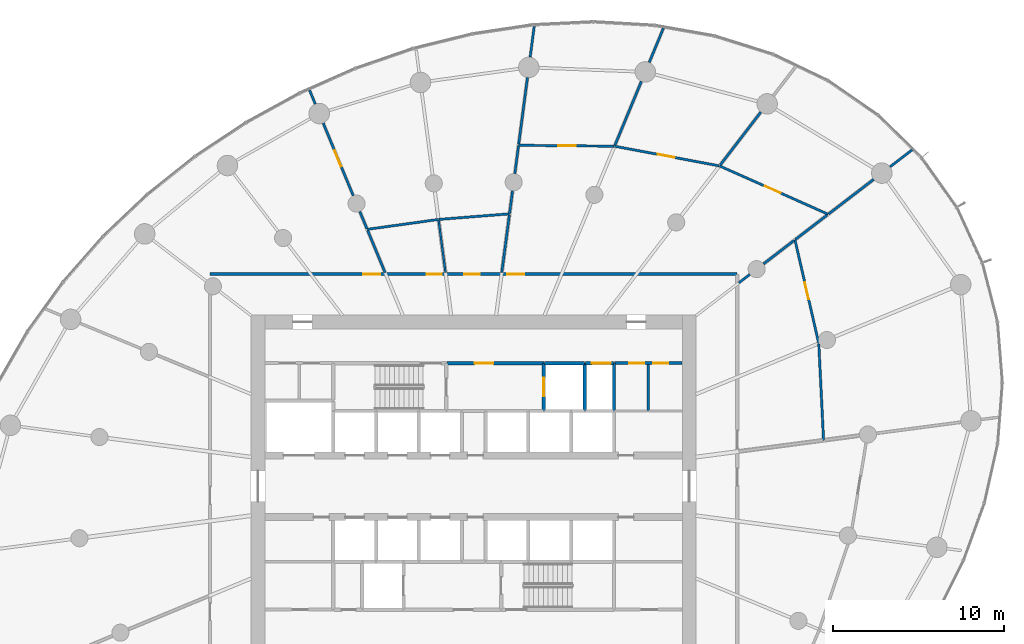
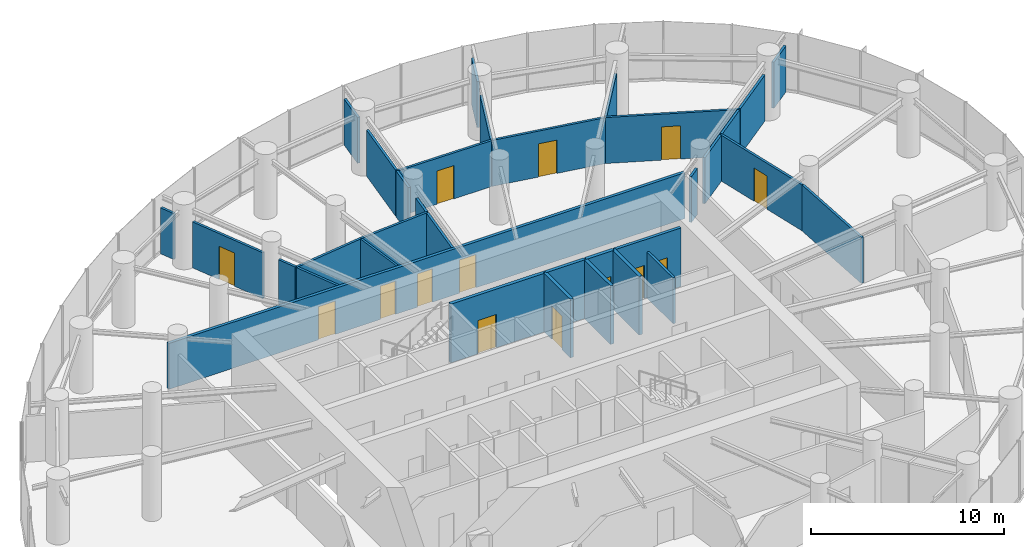
# One storey, part 13 of 17: 34 walls, 14 doors, 14 openings.
"""IFC4 building model written with IfcOpenShell, lengths in metres."""

from ifc_helpers import new_model, si_unit, direction, frame, frame_2d, origin, place, context, subcontext, project, spatial, rectangle, extrude, source, transform, mapped, material, layer, layer_set, type_object, element, fill, save


model = new_model("IFC4")

# Units and contexts
model_context = context("Model", 3, precision=1e-05, world=origin(), true_north=direction((0.0, 1.0)))
body_context = subcontext(model_context, "Body", "Model", "MODEL_VIEW")
ifc_project = project(units=[si_unit("LENGTHUNIT", "METRE"), si_unit("AREAUNIT", "SQUARE_METRE"), si_unit("VOLUMEUNIT", "CUBIC_METRE"), si_unit("PLANEANGLEUNIT", "RADIAN"), si_unit("MASSUNIT", "GRAM", prefix="KILO")], contexts=[model_context])

# Site, building, storey
site_placement = place(None, origin())
site = spatial("IfcSite", under=ifc_project, at=site_placement, CompositionType="ELEMENT")
building_placement = place(site_placement, origin())
building = spatial("IfcBuilding", under=site, at=building_placement, Name="Spindrift Exchange Tower", CompositionType="ELEMENT")
storey_placement = place(building_placement, frame((0.0, 0.0, 120.800048828125)))
storey = spatial("IfcBuildingStorey", under=building, at=storey_placement, Name="L28", CompositionType="ELEMENT", Elevation=120.800048828125)

# Wall, openings, doors
ifc_material_1 = material(Name="Fire-rated plasterboard partition", Category="gypsum")
ifc_layer_1 = layer(ifc_material_1, 0.179931640625)
ifc_layer_set_1 = layer_set([ifc_layer_1], Name="W-CORR-180")
wall_type_1 = type_object("IfcWallType", Name="W-CORR-180", PredefinedType="PARTITIONING", material=ifc_layer_set_1)
wall_1_placement = place(storey_placement, frame((36.60009765625, 60.39990234375, 0.0), z_axis=(0.0, 0.0, 1.0), x_axis=(1.0, 0.0, 0.0)))
wall_1 = element("IfcWall", 1, at=wall_1_placement, inside=storey, type_object=wall_type_1, Name="L28 Partition wall 58", PredefinedType="PARTITIONING", context=body_context, shape_type="SweptSolid", body=[
    extrude(rectangle(XDim=30.7998046875, YDim=0.179931640625, at=frame_2d((15.39990234375, 0.0))), origin(), (0.0, 0.0, 1.0), 2.89990234375),
])
opening_1_placement = place(wall_1_placement, frame((14.85009765625, 0.0, 0.0)))
opening_1 = element("IfcOpeningElement", 2, at=opening_1_placement, cuts=wall_1, Name="Opening L28-D24", PredefinedType="OPENING", context=body_context, shape_type="SweptSolid", body=[
    extrude(rectangle(XDim=0.89990234375, YDim=2.10009765625, at=frame_2d((0.449951171875, 1.050048828125))), frame((0.0, 0.099853515625, 0.0), z_axis=(0.0, -1.0, 0.0), x_axis=(1.0, 0.0, 0.0)), (0.0, 0.0, 1.0), 0.199951171875),
])
opening_2_placement = place(wall_1_placement, frame((12.64990234375, 0.0, 0.0)))
opening_2 = element("IfcOpeningElement", 3, at=opening_2_placement, cuts=wall_1, Name="Opening L28-D25", PredefinedType="OPENING", context=body_context, shape_type="SweptSolid", body=[
    extrude(rectangle(XDim=0.89990234375, YDim=2.10009765625, at=frame_2d((0.449951171875, 1.050048828125))), frame((0.0, 0.099853515625, 0.0), z_axis=(0.0, -1.0, 0.0), x_axis=(1.0, 0.0, 0.0)), (0.0, 0.0, 1.0), 0.199951171875),
])
opening_3_placement = place(wall_1_placement, frame((8.949951171875, 0.0, 0.0)))
opening_3 = element("IfcOpeningElement", 4, at=opening_3_placement, cuts=wall_1, Name="Opening L28-D26", PredefinedType="OPENING", context=body_context, shape_type="SweptSolid", body=[
    extrude(rectangle(XDim=1.0, YDim=2.10009765625, at=frame_2d((0.5, 1.050048828125))), frame((0.0, 0.099853515625, 0.0), z_axis=(0.0, -1.0, 0.0), x_axis=(1.0, 0.0, 0.0)), (0.0, 0.0, 1.0), 0.199951171875),
])
opening_4_placement = place(wall_1_placement, frame((17.35009765625, 0.0, 0.0)))
opening_4 = element("IfcOpeningElement", 5, at=opening_4_placement, cuts=wall_1, Name="Opening L28-D40", PredefinedType="OPENING", context=body_context, shape_type="SweptSolid", body=[
    extrude(rectangle(XDim=1.0, YDim=2.10009765625, at=frame_2d((0.5, 1.050048828125))), frame((0.0, 0.099853515625, 0.0), z_axis=(0.0, -1.0, 0.0), x_axis=(1.0, 0.0, 0.0)), (0.0, 0.0, 1.0), 0.199951171875),
])
ifc_material_2 = material(Name="Timber-core fire door", Category="wood")
door_type_1 = type_object("IfcDoorType", Name="DR-ROOM-1000", OperationType="NOTDEFINED", PredefinedType="DOOR", material=ifc_material_2)
shared_shape_1 = source(origin(), body_context, "Body", "SweptSolid", [
    extrude(rectangle(XDim=1.0, YDim=2.10009765625, at=frame_2d((0.5, 1.050048828125))), frame((0.0, 0.02490234375, 0.0), z_axis=(0.0, -1.0, 0.0), x_axis=(1.0, 0.0, 0.0)), (0.0, 0.0, 1.0), 0.050048828125),
])
door_1_placement = place(opening_3_placement, origin())
door_1 = element("IfcDoor", 6, at=door_1_placement, inside=storey, type_object=door_type_1, Name="L28 Door 26", OperationType="SINGLE_SWING_LEFT", OverallHeight=2.10009765625, OverallWidth=1.0, PredefinedType="DOOR", context=body_context, shape_type="MappedRepresentation", body=[
    mapped(shared_shape_1, transform((0.0, 0.0, 0.0), scale=1.0)),
])
fill(opening_3, door_1)
door_2_placement = place(opening_4_placement, origin())
door_2 = element("IfcDoor", 7, at=door_2_placement, inside=storey, type_object=door_type_1, Name="L28 Door 40", OperationType="SINGLE_SWING_LEFT", OverallHeight=2.10009765625, OverallWidth=1.0, PredefinedType="DOOR", context=body_context, shape_type="MappedRepresentation", body=[
    mapped(shared_shape_1, transform((0.0, 0.0, 0.0), scale=1.0)),
])
fill(opening_4, door_2)
ifc_material_3 = material(Name="Laminate washroom door", Category="wood")
door_type_2 = type_object("IfcDoorType", Name="DR-WC-900", OperationType="NOTDEFINED", PredefinedType="DOOR", material=ifc_material_3)
shared_shape_2 = source(origin(), body_context, "Body", "SweptSolid", [
    extrude(rectangle(XDim=0.89990234375, YDim=2.10009765625, at=frame_2d((0.449951171875, 1.050048828125))), frame((0.0, 0.02490234375, 0.0), z_axis=(0.0, -1.0, 0.0), x_axis=(1.0, 0.0, 0.0)), (0.0, 0.0, 1.0), 0.050048828125),
])
door_3_placement = place(opening_1_placement, origin())
door_3 = element("IfcDoor", 8, at=door_3_placement, inside=storey, type_object=door_type_2, Name="L28 WC door 24", OperationType="SINGLE_SWING_LEFT", OverallHeight=2.10009765625, OverallWidth=0.89990234375, PredefinedType="DOOR", context=body_context, shape_type="MappedRepresentation", body=[
    mapped(shared_shape_2, transform((0.0, 0.0, 0.0), scale=1.0)),
])
fill(opening_1, door_3)
door_4_placement = place(opening_2_placement, origin())
door_4 = element("IfcDoor", 9, at=door_4_placement, inside=storey, type_object=door_type_2, Name="L28 WC door 25", OperationType="SINGLE_SWING_RIGHT", OverallHeight=2.10009765625, OverallWidth=0.89990234375, PredefinedType="DOOR", context=body_context, shape_type="MappedRepresentation", body=[
    mapped(shared_shape_2, transform((0.0, 0.0, 0.0), scale=1.0)),
])
fill(opening_2, door_4)

wall_2_placement = place(storey_placement, frame((64.179931640625, 55.199951171875, 0.0), z_axis=(0.0, 0.0, 1.0), x_axis=(-1.0, 0.0, 0.0)))
wall_2 = element("IfcWall", 10, at=wall_2_placement, inside=storey, type_object=wall_type_1, Name="L28 Partition wall 62", PredefinedType="PARTITIONING", context=body_context, shape_type="SweptSolid", body=[
    extrude(rectangle(XDim=3.949951171875, YDim=0.179931640625, at=frame_2d((1.97509765625, 0.0))), origin(), (0.0, 0.0, 1.0), 3.699951171875),
])
opening_5_placement = place(wall_2_placement, frame((2.199951171875, 0.0, 0.0)))
opening_5 = element("IfcOpeningElement", 11, at=opening_5_placement, cuts=wall_2, Name="Opening L28-D49", PredefinedType="OPENING", context=body_context, shape_type="SweptSolid", body=[
    extrude(rectangle(XDim=0.89990234375, YDim=2.10009765625, at=frame_2d((0.449951171875, 1.050048828125))), frame((0.0, 0.099853515625, 0.0), z_axis=(0.0, -1.0, 0.0), x_axis=(1.0, 0.0, 0.0)), (0.0, 0.0, 1.0), 0.199951171875),
])
opening_6_placement = place(wall_2_placement, frame((0.800048828125, 0.0, 0.0)))
opening_6 = element("IfcOpeningElement", 12, at=opening_6_placement, cuts=wall_2, Name="Opening L28-D50", PredefinedType="OPENING", context=body_context, shape_type="SweptSolid", body=[
    extrude(rectangle(XDim=0.89990234375, YDim=2.10009765625, at=frame_2d((0.449951171875, 1.050048828125))), frame((0.0, 0.099853515625, 0.0), z_axis=(0.0, -1.0, 0.0), x_axis=(1.0, 0.0, 0.0)), (0.0, 0.0, 1.0), 0.199951171875),
])
ifc_material_4 = material(Name="Steel access door", Category="steel")
door_type_3 = type_object("IfcDoorType", Name="DR-RISER-900", OperationType="NOTDEFINED", PredefinedType="DOOR", material=ifc_material_4)
shared_shape_3 = source(origin(), body_context, "Body", "SweptSolid", [
    extrude(rectangle(XDim=0.89990234375, YDim=2.10009765625, at=frame_2d((0.449951171875, 1.050048828125))), frame((0.0, 0.02490234375, 0.0), z_axis=(0.0, -1.0, 0.0), x_axis=(1.0, 0.0, 0.0)), (0.0, 0.0, 1.0), 0.050048828125),
])
door_5_placement = place(opening_5_placement, origin())
door_5 = element("IfcDoor", 13, at=door_5_placement, inside=storey, type_object=door_type_3, Name="L28 Riser door 49", OperationType="SINGLE_SWING_RIGHT", OverallHeight=2.10009765625, OverallWidth=0.89990234375, PredefinedType="DOOR", context=body_context, shape_type="MappedRepresentation", body=[
    mapped(shared_shape_3, transform((0.0, 0.0, 0.0), scale=1.0)),
])
fill(opening_5, door_5)
door_6_placement = place(opening_6_placement, origin())
door_6 = element("IfcDoor", 14, at=door_6_placement, inside=storey, type_object=door_type_3, Name="L28 Riser door 50", OperationType="SINGLE_SWING_LEFT", OverallHeight=2.10009765625, OverallWidth=0.89990234375, PredefinedType="DOOR", context=body_context, shape_type="MappedRepresentation", body=[
    mapped(shared_shape_3, transform((0.0, 0.0, 0.0), scale=1.0)),
])
fill(opening_6, door_6)

# Wall, opening, door
ifc_layer_2 = layer(ifc_material_1, 0.139892578125)
ifc_layer_set_2 = layer_set([ifc_layer_2], Name="W-PART-140")
wall_type_2 = type_object("IfcWallType", Name="W-PART-140", PredefinedType="PARTITIONING", material=ifc_layer_set_2)
wall_3_placement = place(storey_placement, frame((66.36474609375, 66.720703125, 0.0), z_axis=(0.0, 0.0, 1.0), x_axis=(0.913647797107, -0.406506707006, 0.0)))
wall_3 = element("IfcWall", 15, at=wall_3_placement, inside=storey, type_object=wall_type_2, Name="L28 Partition wall 67", PredefinedType="PARTITIONING", context=body_context, shape_type="SweptSolid", body=[
    extrude(rectangle(XDim=6.950439453125, YDim=0.139892578125, at=frame_2d((3.47509765625, 0.0))), origin(), (0.0, 0.0, 1.0), 2.89990234375),
])
opening_7_placement = place(wall_3_placement, frame((2.900390625, 0.0, 0.0)))
opening_7 = element("IfcOpeningElement", 16, at=opening_7_placement, cuts=wall_3, Name="Opening L28-D41", PredefinedType="OPENING", context=body_context, shape_type="SweptSolid", body=[
    extrude(rectangle(XDim=1.0, YDim=2.10009765625, at=frame_2d((0.5, 1.050048828125))), frame((0.0, 0.079833984375, 0.0), z_axis=(0.0, -1.0, 0.0), x_axis=(1.0, 0.0, 0.0)), (0.0, 0.0, 1.0), 0.159912109375),
])
door_7_placement = place(opening_7_placement, origin())
door_7 = element("IfcDoor", 17, at=door_7_placement, inside=storey, type_object=door_type_1, Name="L28 Door 41", OperationType="SINGLE_SWING_RIGHT", OverallHeight=2.10009765625, OverallWidth=1.0, PredefinedType="DOOR", context=body_context, shape_type="MappedRepresentation", body=[
    mapped(shared_shape_1, transform((0.0, 0.0, 0.0), scale=1.0)),
])
fill(opening_7, door_7)

# Walls
wall_4_placement = place(storey_placement, frame((53.644287109375, 60.489990234375, 0.0), z_axis=(0.0, 0.0, 1.0), x_axis=(0.130568214448, 0.991439328137, 0.0)))
element("IfcWall", 18, at=wall_4_placement, inside=storey, type_object=wall_type_2, Name="L28 Partition wall 97", PredefinedType="PARTITIONING", context=body_context, shape_type="SweptSolid", body=[
    extrude(rectangle(XDim=3.38818359375, YDim=0.139892578125, at=frame_2d((1.694091796875, 0.0))), origin(), (0.0, 0.0, 1.0), 2.89990234375),
])
wall_5_placement = place(storey_placement, frame((72.739013671875, 63.91357421875, 0.0), z_axis=(0.0, 0.0, 1.0), x_axis=(0.793376329811, 0.608731467312, 0.0)))
element("IfcWall", 19, at=wall_5_placement, inside=storey, type_object=wall_type_2, Name="L28 Partition wall 99", PredefinedType="PARTITIONING", context=body_context, shape_type="SweptSolid", body=[
    extrude(rectangle(XDim=3.314697265625, YDim=0.139892578125, at=frame_2d((1.6572265625, 0.0))), origin(), (0.0, 0.0, 1.0), 2.89990234375),
])
wall_6_placement = place(storey_placement, frame((46.826416015625, 60.489990234375, 0.0), z_axis=(0.0, 0.0, 1.0), x_axis=(-0.382665323853, 0.923887033094, 0.0)))
element("IfcWall", 20, at=wall_6_placement, inside=storey, type_object=wall_type_2, Name="L28 Partition wall 101", PredefinedType="PARTITIONING", context=body_context, shape_type="SweptSolid", body=[
    extrude(rectangle(XDim=2.6591796875, YDim=0.139892578125, at=frame_2d((1.32958984375, 0.0))), origin(), (0.0, 0.0, 1.0), 2.89990234375),
])
wall_7_placement = place(storey_placement, frame((62.199951171875, 52.39990234375, 0.0), z_axis=(0.0, 0.0, 1.0), x_axis=(0.0, 1.0, 0.0)))
element("IfcWall", 21, at=wall_7_placement, inside=storey, type_object=wall_type_2, Name="L28 Partition wall 102", PredefinedType="PARTITIONING", context=body_context, shape_type="SweptSolid", body=[
    extrude(rectangle(XDim=2.710205078125, YDim=0.139892578125, at=frame_2d((1.35498046875, 0.0))), origin(), (0.0, 0.0, 1.0), 2.89990234375),
])
wall_8_placement = place(storey_placement, frame((70.795654296875, 62.42236328125, 0.0), z_axis=(0.0, 0.0, 1.0), x_axis=(0.79335268966, 0.608762276927, 0.0)))
element("IfcWall", 22, at=wall_8_placement, inside=storey, type_object=wall_type_2, Name="L28 Partition wall 104", PredefinedType="PARTITIONING", context=body_context, shape_type="SweptSolid", body=[
    extrude(rectangle(XDim=2.339599609375, YDim=0.139892578125, at=frame_2d((1.169921875, 0.0))), origin(), (0.0, 0.0, 1.0), 2.89990234375),
])
wall_9_placement = place(storey_placement, frame((76.32763671875, 66.667236328125, 0.0), z_axis=(0.0, 0.0, 1.0), x_axis=(0.793358091605, 0.608755236925, 0.0)))
element("IfcWall", 23, at=wall_9_placement, inside=storey, type_object=wall_type_2, Name="L28 Partition wall 118", PredefinedType="PARTITIONING", context=body_context, shape_type="SweptSolid", body=[
    extrude(rectangle(XDim=1.630615234375, YDim=0.139892578125, at=frame_2d((0.8154296875, 0.0))), origin(), (0.0, 0.0, 1.0), 2.89990234375),
])

# Wall, opening, door
ifc_layer_3 = layer(ifc_material_1, 0.139892578125)
ifc_layer_set_3 = layer_set([ifc_layer_3], Name="W-PLANT-140")
wall_type_3 = type_object("IfcWallType", Name="W-PLANT-140", PredefinedType="PARTITIONING", material=ifc_layer_set_3)
wall_10_placement = place(storey_placement, frame((60.23095703125, 67.87158203125, 0.0), z_axis=(0.0, 0.0, 1.0), x_axis=(0.982845477165, -0.184430930205, 0.0)))
wall_10 = element("IfcWall", 24, at=wall_10_placement, inside=storey, type_object=wall_type_3, Name="L28 Partition wall 69", PredefinedType="PARTITIONING", context=body_context, shape_type="SweptSolid", body=[
    extrude(rectangle(XDim=6.2109375, YDim=0.139892578125, at=frame_2d((3.10546875, 0.0))), origin(), (0.0, 0.0, 1.0), 2.89990234375),
])
opening_8_placement = place(wall_10_placement, frame((2.560791015625, 0.0, 0.0)))
opening_8 = element("IfcOpeningElement", 25, at=opening_8_placement, cuts=wall_10, Name="Opening L28-D42", PredefinedType="OPENING", context=body_context, shape_type="SweptSolid", body=[
    extrude(rectangle(XDim=1.0, YDim=2.10009765625, at=frame_2d((0.5, 1.050048828125))), frame((0.0, 0.079833984375, 0.0), z_axis=(0.0, -1.0, 0.0), x_axis=(1.0, 0.0, 0.0)), (0.0, 0.0, 1.0), 0.159912109375),
])
door_8_placement = place(opening_8_placement, origin())
door_8 = element("IfcDoor", 26, at=door_8_placement, inside=storey, type_object=door_type_1, Name="L28 Door 42", OperationType="SINGLE_SWING_LEFT", OverallHeight=2.10009765625, OverallWidth=1.0, PredefinedType="DOOR", context=body_context, shape_type="MappedRepresentation", body=[
    mapped(shared_shape_1, transform((0.0, 0.0, 0.0), scale=1.0)),
])
fill(opening_8, door_8)

wall_11_placement = place(storey_placement, frame((70.77197265625, 62.404296875, 0.0), z_axis=(0.0, 0.0, 1.0), x_axis=(0.223963615519, -0.974597506114, 0.0)))
wall_11 = element("IfcWall", 27, at=wall_11_placement, inside=storey, type_object=wall_type_3, Name="L28 Partition wall 70", PredefinedType="PARTITIONING", context=body_context, shape_type="SweptSolid", body=[
    extrude(rectangle(XDim=6.210205078125, YDim=0.139892578125, at=frame_2d((3.10498046875, 0.0))), origin(), (0.0, 0.0, 1.0), 2.89990234375),
])
opening_9_placement = place(wall_11_placement, frame((2.560302734375, 0.0, 0.0)))
opening_9 = element("IfcOpeningElement", 28, at=opening_9_placement, cuts=wall_11, Name="Opening L28-D39", PredefinedType="OPENING", context=body_context, shape_type="SweptSolid", body=[
    extrude(rectangle(XDim=1.0, YDim=2.10009765625, at=frame_2d((0.5, 1.050048828125))), frame((0.0, 0.079833984375, 0.0), z_axis=(0.0, -1.0, 0.0), x_axis=(1.0, 0.0, 0.0)), (0.0, 0.0, 1.0), 0.159912109375),
])
door_9_placement = place(opening_9_placement, origin())
door_9 = element("IfcDoor", 29, at=door_9_placement, inside=storey, type_object=door_type_1, Name="L28 Door 39", OperationType="SINGLE_SWING_RIGHT", OverallHeight=2.10009765625, OverallWidth=1.0, PredefinedType="DOOR", context=body_context, shape_type="MappedRepresentation", body=[
    mapped(shared_shape_1, transform((0.0, 0.0, 0.0), scale=1.0)),
])
fill(opening_9, door_9)

# Wall
wall_12_placement = place(storey_placement, frame((72.443603515625, 50.69140625, 0.0), z_axis=(0.0, 0.0, 1.0), x_axis=(-0.049544491965, 0.998771917565, 0.0)))
element("IfcWall", 30, at=wall_12_placement, inside=storey, type_object=wall_type_3, Name="L28 Partition wall 73", PredefinedType="PARTITIONING", context=body_context, shape_type="SweptSolid", body=[
    extrude(rectangle(XDim=5.63720703125, YDim=0.139892578125, at=frame_2d((2.818603515625, 0.0))), origin(), (0.0, 0.0, 1.0), 2.89990234375),
])

# Wall, opening, door
wall_13_placement = place(storey_placement, frame((54.623291015625, 67.92529296875, 0.0), z_axis=(0.0, 0.0, 1.0), x_axis=(0.999954062226, -0.009585063231, 0.0)))
wall_13 = element("IfcWall", 31, at=wall_13_placement, inside=storey, type_object=wall_type_3, Name="L28 Partition wall 75", PredefinedType="PARTITIONING", context=body_context, shape_type="SweptSolid", body=[
    extrude(rectangle(XDim=5.578125, YDim=0.139892578125, at=frame_2d((2.7890625, 0.0))), origin(), (0.0, 0.0, 1.0), 2.89990234375),
])
opening_10_placement = place(wall_13_placement, frame((2.328125, 0.0, 0.0)))
opening_10 = element("IfcOpeningElement", 32, at=opening_10_placement, cuts=wall_13, Name="Opening L28-D43", PredefinedType="OPENING", context=body_context, shape_type="SweptSolid", body=[
    extrude(rectangle(XDim=1.0, YDim=2.10009765625, at=frame_2d((0.5, 1.050048828125))), frame((0.0, 0.079833984375, 0.0), z_axis=(0.0, -1.0, 0.0), x_axis=(1.0, 0.0, 0.0)), (0.0, 0.0, 1.0), 0.159912109375),
])
door_10_placement = place(opening_10_placement, origin())
door_10 = element("IfcDoor", 33, at=door_10_placement, inside=storey, type_object=door_type_1, Name="L28 Door 43", OperationType="SINGLE_SWING_RIGHT", OverallHeight=2.10009765625, OverallWidth=1.0, PredefinedType="DOOR", context=body_context, shape_type="MappedRepresentation", body=[
    mapped(shared_shape_1, transform((0.0, 0.0, 0.0), scale=1.0)),
])
fill(opening_10, door_10)

wall_14_placement = place(storey_placement, frame((43.209716796875, 69.2216796875, 0.0), z_axis=(0.0, 0.0, 1.0), x_axis=(0.382705930348, -0.923870213221, 0.0)))
wall_14 = element("IfcWall", 34, at=wall_14_placement, inside=storey, type_object=wall_type_3, Name="L28 Partition wall 82", PredefinedType="PARTITIONING", context=body_context, shape_type="SweptSolid", body=[
    extrude(rectangle(XDim=4.586669921875, YDim=0.139892578125, at=frame_2d((2.29345703125, 0.0))), origin(), (0.0, 0.0, 1.0), 2.89990234375),
])
opening_11_placement = place(wall_14_placement, frame((1.736572265625, 0.0, 0.0)))
opening_11 = element("IfcOpeningElement", 35, at=opening_11_placement, cuts=wall_14, Name="Opening L28-D27", PredefinedType="OPENING", context=body_context, shape_type="SweptSolid", body=[
    extrude(rectangle(XDim=1.0, YDim=2.10009765625, at=frame_2d((0.5, 1.050048828125))), frame((0.0, 0.079833984375, 0.0), z_axis=(0.0, -1.0, 0.0), x_axis=(1.0, 0.0, 0.0)), (0.0, 0.0, 1.0), 0.159912109375),
])
door_11_placement = place(opening_11_placement, origin())
door_11 = element("IfcDoor", 36, at=door_11_placement, inside=storey, type_object=door_type_1, Name="L28 Door 27", OperationType="SINGLE_SWING_RIGHT", OverallHeight=2.10009765625, OverallWidth=1.0, PredefinedType="DOOR", context=body_context, shape_type="MappedRepresentation", body=[
    mapped(shared_shape_1, transform((0.0, 0.0, 0.0), scale=1.0)),
])
fill(opening_11, door_11)

# Walls
wall_15_placement = place(storey_placement, frame((49.947021484375, 63.593017578125, 0.0), z_axis=(0.0, 0.0, 1.0), x_axis=(-0.990459508441, -0.137804071561, 0.0)))
element("IfcWall", 37, at=wall_15_placement, inside=storey, type_object=wall_type_3, Name="L28 Partition wall 89", PredefinedType="PARTITIONING", context=body_context, shape_type="SweptSolid", body=[
    extrude(rectangle(XDim=4.205810546875, YDim=0.139892578125, at=frame_2d((2.10302734375, 0.0))), origin(), (0.0, 0.0, 1.0), 2.89990234375),
])
wall_16_placement = place(storey_placement, frame((54.095947265625, 63.920166015625, 0.0), z_axis=(0.0, 0.0, 1.0), x_axis=(-0.996907048468, -0.078589673076, 0.0)))
element("IfcWall", 38, at=wall_16_placement, inside=storey, type_object=wall_type_3, Name="L28 Partition wall 90", PredefinedType="PARTITIONING", context=body_context, shape_type="SweptSolid", body=[
    extrude(rectangle(XDim=4.131591796875, YDim=0.139892578125, at=frame_2d((2.06591796875, 0.0))), origin(), (0.0, 0.0, 1.0), 2.89990234375),
])
wall_17_placement = place(storey_placement, frame((60.25830078125, 67.9375, 0.0), z_axis=(0.0, 0.0, 1.0), x_axis=(0.382718123952, 0.923865162022, 0.0)))
element("IfcWall", 39, at=wall_17_placement, inside=storey, type_object=wall_type_3, Name="L28 Partition wall 91", PredefinedType="PARTITIONING", context=body_context, shape_type="SweptSolid", body=[
    extrude(rectangle(XDim=4.02197265625, YDim=0.139892578125, at=frame_2d((2.010986328125, 0.0))), origin(), (0.0, 0.0, 1.0), 2.89990234375),
])
wall_18_placement = place(storey_placement, frame((54.63232421875, 67.995361328125, 0.0), z_axis=(0.0, 0.0, 1.0), x_axis=(0.130554504695, 0.991441133554, 0.0)))
element("IfcWall", 40, at=wall_18_placement, inside=storey, type_object=wall_type_3, Name="L28 Partition wall 92", PredefinedType="PARTITIONING", context=body_context, shape_type="SweptSolid", body=[
    extrude(rectangle(XDim=3.915771484375, YDim=0.139892578125, at=frame_2d((1.9580078125, 0.0))), origin(), (0.0, 0.0, 1.0), 2.89990234375),
])
wall_19_placement = place(storey_placement, frame((66.40869140625, 66.777587890625, 0.0), z_axis=(0.0, 0.0, 1.0), x_axis=(0.608715955057, 0.793388231611, 0.0)))
element("IfcWall", 41, at=wall_19_placement, inside=storey, type_object=wall_type_3, Name="L28 Partition wall 95", PredefinedType="PARTITIONING", context=body_context, shape_type="SweptSolid", body=[
    extrude(rectangle(XDim=3.89208984375, YDim=0.139892578125, at=frame_2d((1.946044921875, 0.0))), origin(), (0.0, 0.0, 1.0), 2.89990234375),
])
wall_20_placement = place(storey_placement, frame((68.93505859375, 60.99462890625, 0.0), z_axis=(0.0, 0.0, 1.0), x_axis=(0.793288498534, 0.608845923115, 0.0)))
element("IfcWall", 42, at=wall_20_placement, inside=storey, type_object=wall_type_3, Name="L28 Partition wall 105", PredefinedType="PARTITIONING", context=body_context, shape_type="SweptSolid", body=[
    extrude(rectangle(XDim=2.23828125, YDim=0.139892578125, at=frame_2d((1.119140625, 0.0))), origin(), (0.0, 0.0, 1.0), 2.89990234375),
])
wall_21_placement = place(storey_placement, frame((62.260498046875, 72.77099609375, 0.0), z_axis=(0.0, 0.0, 1.0), x_axis=(0.38271416586, 0.923866801682, 0.0)))
element("IfcWall", 43, at=wall_21_placement, inside=storey, type_object=wall_type_3, Name="L28 Partition wall 109", PredefinedType="PARTITIONING", context=body_context, shape_type="SweptSolid", body=[
    extrude(rectangle(XDim=2.161865234375, YDim=0.139892578125, at=frame_2d((1.0810546875, 0.0))), origin(), (0.0, 0.0, 1.0), 2.89990234375),
])
wall_22_placement = place(storey_placement, frame((55.30126953125, 73.075927734375, 0.0), z_axis=(0.0, 0.0, 1.0), x_axis=(0.13060094235, 0.991435017466, 0.0)))
element("IfcWall", 44, at=wall_22_placement, inside=storey, type_object=wall_type_3, Name="L28 Partition wall 115", PredefinedType="PARTITIONING", context=body_context, shape_type="SweptSolid", body=[
    extrude(rectangle(XDim=1.8115234375, YDim=0.139892578125, at=frame_2d((0.90576171875, 0.0))), origin(), (0.0, 0.0, 1.0), 2.89990234375),
])
wall_23_placement = place(storey_placement, frame((54.405029296875, 66.267333984375, 0.0), z_axis=(0.0, 0.0, 1.0), x_axis=(0.130508343522, 0.991447211036, 0.0)))
element("IfcWall", 45, at=wall_23_placement, inside=storey, type_object=wall_type_3, Name="L28 Partition wall 117", PredefinedType="PARTITIONING", context=body_context, shape_type="SweptSolid", body=[
    extrude(rectangle(XDim=1.642578125, YDim=0.139892578125, at=frame_2d((0.8212890625, 0.0))), origin(), (0.0, 0.0, 1.0), 2.89990234375),
])
wall_24_placement = place(storey_placement, frame((54.099853515625, 63.949951171875, 0.0), z_axis=(0.0, 0.0, 1.0), x_axis=(0.130478281576, 0.991451167752, 0.0)))
element("IfcWall", 46, at=wall_24_placement, inside=storey, type_object=wall_type_3, Name="L28 Partition wall 120", PredefinedType="PARTITIONING", context=body_context, shape_type="SweptSolid", body=[
    extrude(rectangle(XDim=1.32861328125, YDim=0.139892578125, at=frame_2d((0.664306640625, 0.0))), origin(), (0.0, 0.0, 1.0), 2.89990234375),
])
wall_25_placement = place(storey_placement, frame((45.769775390625, 63.041259765625, 0.0), z_axis=(0.0, 0.0, 1.0), x_axis=(-0.382647721552, 0.923894323606, 0.0)))
element("IfcWall", 47, at=wall_25_placement, inside=storey, type_object=wall_type_3, Name="L28 Partition wall 122", PredefinedType="PARTITIONING", context=body_context, shape_type="SweptSolid", body=[
    extrude(rectangle(XDim=1.093017578125, YDim=0.139892578125, at=frame_2d((0.54638671875, 0.0))), origin(), (0.0, 0.0, 1.0), 2.89990234375),
])
wall_26_placement = place(storey_placement, frame((67.489990234375, 59.885986328125, 0.0), z_axis=(0.0, 0.0, 1.0), x_axis=(0.793316076519, 0.608809989025, 0.0)))
element("IfcWall", 48, at=wall_26_placement, inside=storey, type_object=wall_type_3, Name="L28 Partition wall 125", PredefinedType="PARTITIONING", context=body_context, shape_type="SweptSolid", body=[
    extrude(rectangle(XDim=0.8125, YDim=0.139892578125, at=frame_2d((0.40625, 0.0))), origin(), (0.0, 0.0, 1.0), 2.89990234375),
])
wall_27_placement = place(storey_placement, frame((42.74658203125, 70.339599609375, 0.0), z_axis=(0.0, 0.0, 1.0), x_axis=(-0.382764243687, 0.923846055225, 0.0)))
element("IfcWall", 49, at=wall_27_placement, inside=storey, type_object=wall_type_3, Name="L28 Partition wall 127", PredefinedType="PARTITIONING", context=body_context, shape_type="SweptSolid", body=[
    extrude(rectangle(XDim=0.871337890625, YDim=0.139892578125, at=frame_2d((0.435546875, 0.0))), origin(), (0.0, 0.0, 1.0), 2.89990234375),
])

# Wall, opening, door
ifc_material_5 = material(Name="Concrete 40 MPa", Category="concrete")
ifc_layer_4 = layer(ifc_material_5, 0.199951171875)
ifc_layer_set_4 = layer_set([ifc_layer_4], Name="W-SHAFT-200")
wall_type_4 = type_object("IfcWallType", Name="W-SHAFT-200", PredefinedType="SOLIDWALL", material=ifc_layer_set_4)
wall_28_placement = place(storey_placement, frame((56.10009765625, 55.169921875, 0.0), z_axis=(0.0, 0.0, 1.0), x_axis=(0.0, -1.0, 0.0)))
wall_28 = element("IfcWall", 50, at=wall_28_placement, inside=storey, type_object=wall_type_4, Name="L28 Shaft wall 12", PredefinedType="SOLIDWALL", context=body_context, shape_type="SweptSolid", body=[
    extrude(rectangle(XDim=2.77001953125, YDim=0.199951171875, at=frame_2d((1.385009765625, 0.0))), origin(), (0.0, 0.0, 1.0), 3.699951171875),
])
opening_12_placement = place(wall_28_placement, frame((0.820068359375, 0.0, 0.0)))
opening_12 = element("IfcOpeningElement", 51, at=opening_12_placement, cuts=wall_28, Name="Opening L28-D9", PredefinedType="OPENING", context=body_context, shape_type="SweptSolid", body=[
    extrude(rectangle(XDim=1.10009765625, YDim=2.10009765625, at=frame_2d((0.550048828125, 1.050048828125))), frame((0.0, 0.10986328125, 0.0), z_axis=(0.0, -1.0, 0.0), x_axis=(1.0, 0.0, 0.0)), (0.0, 0.0, 1.0), 0.219970703125),
])
ifc_material_6 = material(Name="Stainless steel landing door", Category="steel")
door_type_4 = type_object("IfcDoorType", Name="DR-LANDING-1100-SL", OperationType="DOUBLE_DOOR_SLIDING", PredefinedType="USERDEFINED", material=ifc_material_6)
shared_shape_4 = source(origin(), body_context, "Body", "SweptSolid", [
    extrude(rectangle(XDim=1.10009765625, YDim=2.10009765625, at=frame_2d((0.550048828125, 1.050048828125))), frame((0.0, 0.02490234375, 0.0), z_axis=(0.0, -1.0, 0.0), x_axis=(1.0, 0.0, 0.0)), (0.0, 0.0, 1.0), 0.050048828125),
])
door_12_placement = place(opening_12_placement, origin())
door_12 = element("IfcDoor", 52, at=door_12_placement, inside=storey, type_object=door_type_4, Name="L28 Lift landing door 9", ObjectType="LANDING DOOR", OperationType="DOUBLE_DOOR_SLIDING", OverallHeight=2.10009765625, OverallWidth=1.10009765625, PredefinedType="USERDEFINED", context=body_context, shape_type="MappedRepresentation", body=[
    mapped(shared_shape_4, transform((0.0, 0.0, 0.0), scale=1.0)),
])
fill(opening_12, door_12)

# Walls
for number, where, z_axis, x_axis, name in (
    (53, (58.5, 52.39990234375, 0.0), (0.0, 0.0, 1.0), (0.0, 1.0, 0.0), "L28 Shaft wall 13"),
    (54, (60.199951171875, 52.39990234375, 0.0), (0.0, 0.0, 1.0), (0.0, 1.0, 0.0), "L28 Shaft wall 14"),
):
    element("IfcWall", number, at=place(storey_placement, frame(where, z_axis=z_axis, x_axis=x_axis)), inside=storey, type_object=wall_type_4, Name=name, PredefinedType="SOLIDWALL", context=body_context, shape_type="SweptSolid", body=[
        extrude(rectangle(XDim=2.800048828125, YDim=0.199951171875, at=frame_2d((1.39990234375, 0.0))), origin(), (0.0, 0.0, 1.0), 3.699951171875),
    ])
wall_29_placement = place(storey_placement, frame((58.469970703125, 55.199951171875, 0.0), z_axis=(0.0, 0.0, 1.0), x_axis=(-1.0, 0.0, 0.0)))
element("IfcWall", 55, at=wall_29_placement, inside=storey, type_object=wall_type_4, Name="L28 Shaft wall 22", PredefinedType="SOLIDWALL", context=body_context, shape_type="SweptSolid", body=[
    extrude(rectangle(XDim=2.340087890625, YDim=0.199951171875, at=frame_2d((1.169921875, 0.0))), origin(), (0.0, 0.0, 1.0), 3.699951171875),
])

# Wall, opening, door
wall_30_placement = place(storey_placement, frame((60.169921875, 55.199951171875, 0.0), z_axis=(0.0, 0.0, 1.0), x_axis=(-1.0, 0.0, 0.0)))
wall_30 = element("IfcWall", 56, at=wall_30_placement, inside=storey, type_object=wall_type_4, Name="L28 Shaft wall 43", PredefinedType="SOLIDWALL", context=body_context, shape_type="SweptSolid", body=[
    extrude(rectangle(XDim=1.639892578125, YDim=0.199951171875, at=frame_2d((0.81982421875, 0.0))), origin(), (0.0, 0.0, 1.0), 3.699951171875),
])
opening_13_placement = place(wall_30_placement, frame((0.169921875, 0.0, 0.0)))
opening_13 = element("IfcOpeningElement", 57, at=opening_13_placement, cuts=wall_30, Name="Opening L28-D11", PredefinedType="OPENING", context=body_context, shape_type="SweptSolid", body=[
    extrude(rectangle(XDim=1.10009765625, YDim=2.10009765625, at=frame_2d((0.550048828125, 1.050048828125))), frame((0.0, 0.10986328125, 0.0), z_axis=(0.0, -1.0, 0.0), x_axis=(1.0, 0.0, 0.0)), (0.0, 0.0, 1.0), 0.219970703125),
])
door_13_placement = place(opening_13_placement, origin())
door_13 = element("IfcDoor", 58, at=door_13_placement, inside=storey, type_object=door_type_4, Name="L28 Lift landing door 11", ObjectType="LANDING DOOR", OperationType="DOUBLE_DOOR_SLIDING", OverallHeight=2.10009765625, OverallWidth=1.10009765625, PredefinedType="USERDEFINED", context=body_context, shape_type="MappedRepresentation", body=[
    mapped(shared_shape_4, transform((0.0, 0.0, 0.0), scale=1.0)),
])
fill(opening_13, door_13)

ifc_layer_5 = layer(ifc_material_5, 0.199951171875)
ifc_layer_set_5 = layer_set([ifc_layer_5], Name="W-SHAFT-200-LB")
wall_type_5 = type_object("IfcWallType", Name="W-SHAFT-200-LB", PredefinedType="SOLIDWALL", material=ifc_layer_set_5)
wall_31_placement = place(storey_placement, frame((56.10009765625, 55.199951171875, 0.0), z_axis=(0.0, 0.0, 1.0), x_axis=(-1.0, 0.0, 0.0)))
wall_31 = element("IfcWall", 59, at=wall_31_placement, inside=storey, type_object=wall_type_5, Name="L28 Shaft wall 4", PredefinedType="SOLIDWALL", context=body_context, shape_type="SweptSolid", body=[
    extrude(rectangle(XDim=5.670166015625, YDim=0.199951171875, at=frame_2d((2.8349609375, 0.0))), origin(), (0.0, 0.0, 1.0), 3.699951171875),
])
opening_14_placement = place(wall_31_placement, frame((2.949951171875, 0.0, 0.0)))
opening_14 = element("IfcOpeningElement", 60, at=opening_14_placement, cuts=wall_31, Name="Opening L28-D15", PredefinedType="OPENING", context=body_context, shape_type="SweptSolid", body=[
    extrude(rectangle(XDim=1.10009765625, YDim=2.10009765625, at=frame_2d((0.550048828125, 1.050048828125))), frame((0.0, 0.10986328125, 0.0), z_axis=(0.0, -1.0, 0.0), x_axis=(1.0, 0.0, 0.0)), (0.0, 0.0, 1.0), 0.219970703125),
])
door_type_5 = type_object("IfcDoorType", Name="DR-LOBBY-1100", OperationType="NOTDEFINED", PredefinedType="DOOR", material=ifc_material_2)
shared_shape_5 = source(origin(), body_context, "Body", "SweptSolid", [
    extrude(rectangle(XDim=1.10009765625, YDim=2.10009765625, at=frame_2d((0.550048828125, 1.050048828125))), frame((0.0, 0.02490234375, 0.0), z_axis=(0.0, -1.0, 0.0), x_axis=(1.0, 0.0, 0.0)), (0.0, 0.0, 1.0), 0.050048828125),
])
door_14_placement = place(opening_14_placement, origin())
door_14 = element("IfcDoor", 61, at=door_14_placement, inside=storey, type_object=door_type_5, Name="L28 Lobby door 15", OperationType="SINGLE_SWING_RIGHT", OverallHeight=2.10009765625, OverallWidth=1.10009765625, PredefinedType="DOOR", context=body_context, shape_type="MappedRepresentation", body=[
    mapped(shared_shape_5, transform((0.0, 0.0, 0.0), scale=1.0)),
])
fill(opening_14, door_14)

# Wall
ifc_layer_6 = layer(ifc_material_1, 0.1201171875)
ifc_layer_set_6 = layer_set([ifc_layer_6], Name="W-WET-120")
wall_type_6 = type_object("IfcWallType", Name="W-WET-120", PredefinedType="PARTITIONING", material=ifc_layer_set_6)
wall_32_placement = place(storey_placement, frame((50.355712890625, 60.489990234375, 0.0), z_axis=(0.0, 0.0, 1.0), x_axis=(-0.130532942165, 0.991443972703, 0.0)))
element("IfcWall", 62, at=wall_32_placement, inside=storey, type_object=wall_type_6, Name="L28 Partition wall 130", PredefinedType="PARTITIONING", context=body_context, shape_type="SweptSolid", body=[
    extrude(rectangle(XDim=3.059814453125, YDim=0.1201171875, at=frame_2d((1.52978515625, 0.0))), origin(), (0.0, 0.0, 1.0), 2.89990234375),
])

save(model, "model.ifc")
